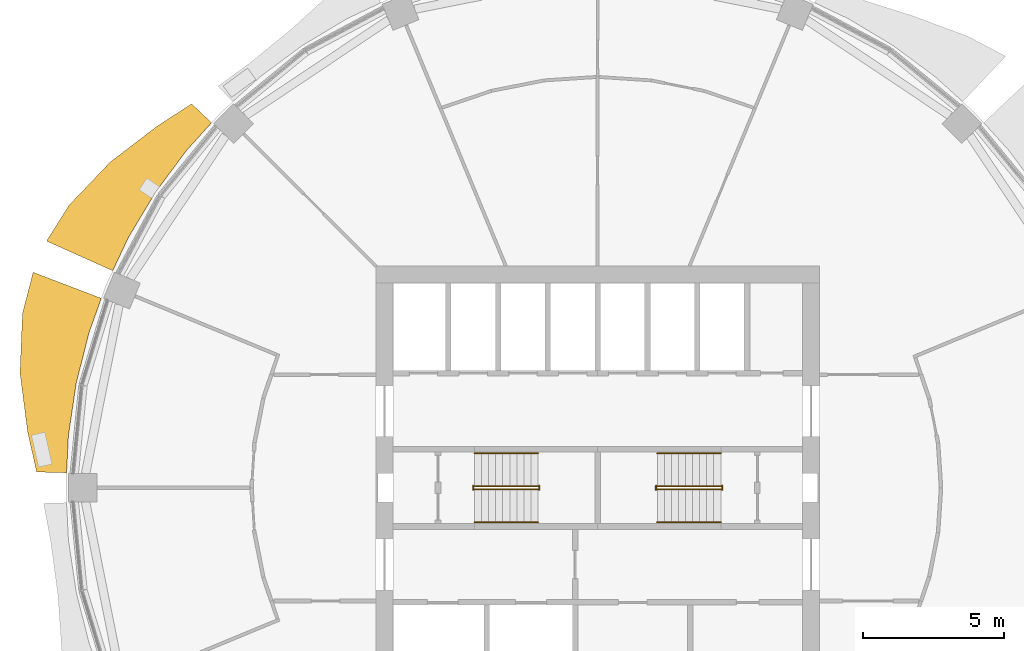
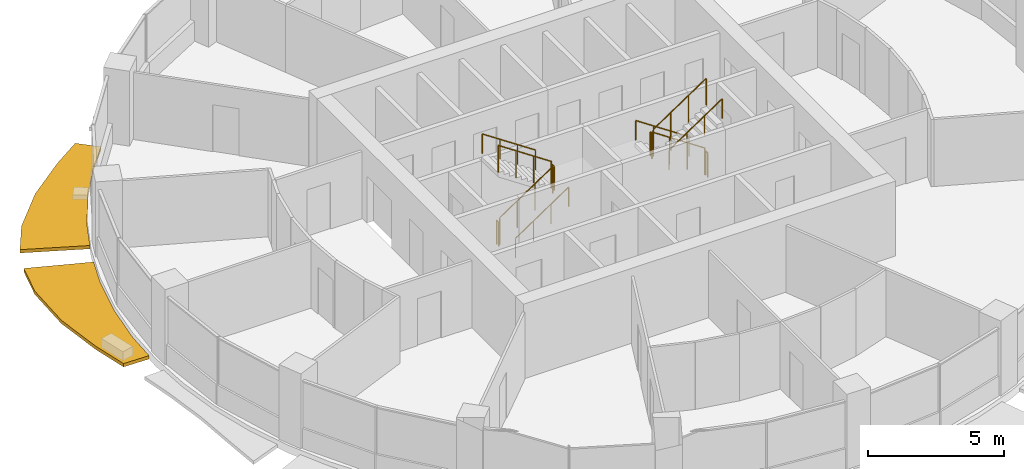
# One storey, part 12 of 14: 12 railings, 2 shading devices.
"""IFC4 building model written with IfcOpenShell, lengths in metres."""

from ifc_helpers import new_model, si_unit, direction, frame, origin, origin_2d, place, context, subcontext, project, spatial, polyline, circle, outline, extrude, material, type_object, element, save


model = new_model("IFC4")

# Units and contexts
model_context = context("Model", 3, precision=1e-05, world=origin(), true_north=direction((0.0, 1.0)))
body_context = subcontext(model_context, "Body", "Model", "MODEL_VIEW")
ifc_project = project(units=[si_unit("LENGTHUNIT", "METRE"), si_unit("AREAUNIT", "SQUARE_METRE"), si_unit("VOLUMEUNIT", "CUBIC_METRE"), si_unit("PLANEANGLEUNIT", "RADIAN"), si_unit("MASSUNIT", "GRAM", prefix="KILO")], contexts=[model_context])

# Site, building, storey
site_placement = place(None, origin())
site = spatial("IfcSite", under=ifc_project, at=site_placement, CompositionType="ELEMENT")
building_placement = place(site_placement, origin())
building = spatial("IfcBuilding", under=site, at=building_placement, Name="Polderwave Tower", CompositionType="ELEMENT")
storey_placement = place(building_placement, frame((0.0, 0.0, 147.75)))
storey = spatial("IfcBuildingStorey", under=building, at=storey_placement, Name="L39", CompositionType="ELEMENT", Elevation=147.75)

# Railings
ifc_material_1 = material(Name="Stainless steel", Category="steel")
railing_type_1 = type_object("IfcRailingType", Name="Stair guard 1100", PredefinedType="GUARDRAIL", material=ifc_material_1)
railing_1_placement = place(storey_placement, frame((-4.3740234375, -0.051025390625, 0.04736328125)))
element("IfcRailing", 1, at=railing_1_placement, inside=storey, type_object=railing_type_1, Name="L39 ST-A stair guard 1", PredefinedType="GUARDRAIL", context=body_context, shape_type="SweptSolid", body=[
    extrude(circle(Radius=0.02392578125, at=origin_2d()), frame((0.0, 0.0, 1.1962890625), z_axis=(0.830758306289, 0.0, 0.556633305266), x_axis=(0.0, 1.0, 0.0)), (0.0, 0.0, 1.0), 2.708251953125),
    extrude(circle(Radius=0.02392578125, at=origin_2d()), origin(), (0.0, 0.0, 1.0), 1.172119140625),
    extrude(circle(Radius=0.02392578125, at=origin_2d()), frame((0.75, 0.0, 0.50244140625)), (0.0, 0.0, 1.0), 1.172119140625),
    extrude(circle(Radius=0.02392578125, at=origin_2d()), frame((1.5, 0.0, 1.005126953125)), (0.0, 0.0, 1.0), 1.172119140625),
    extrude(circle(Radius=0.02392578125, at=origin_2d()), frame((2.25, 0.0, 1.507568359375)), (0.0, 0.0, 1.0), 1.172119140625),
])
railing_2_placement = place(storey_placement, frame((-2.073974609375, -0.074951171875, 1.675048828125)))
element("IfcRailing", 2, at=railing_2_placement, inside=storey, type_object=railing_type_1, Name="L39 ST-A stair guard 2", PredefinedType="GUARDRAIL", context=body_context, shape_type="SweptSolid", body=[
    extrude(circle(Radius=0.02392578125, at=origin_2d()), frame((0.0, 0.0, 1.076171875), z_axis=(0.0, 1.0, 0.0), x_axis=(-1.0, 0.0, 0.0)), (0.0, 0.0, 1.0), 0.14990234375),
    extrude(circle(Radius=0.02099609375, at=origin_2d()), origin(), (0.0, 0.0, 1.0), 1.052001953125),
    extrude(circle(Radius=0.02099609375, at=origin_2d()), frame((0.0, 0.14990234375, 0.0)), (0.0, 0.0, 1.0), 1.052001953125),
])
railing_3_placement = place(storey_placement, frame((-2.1240234375, 0.051025390625, 1.722412109375)))
element("IfcRailing", 3, at=railing_3_placement, inside=storey, type_object=railing_type_1, Name="L39 ST-A stair guard 3", PredefinedType="GUARDRAIL", context=body_context, shape_type="SweptSolid", body=[
    extrude(circle(Radius=0.02392578125, at=origin_2d()), frame((0.0, 0.0, 1.1962890625), z_axis=(-0.830758306289, 0.0, 0.556633305266), x_axis=(0.0, -1.0, 0.0)), (0.0, 0.0, 1.0), 2.708251953125),
    extrude(circle(Radius=0.02392578125, at=origin_2d()), origin(), (0.0, 0.0, 1.0), 1.172119140625),
    extrude(circle(Radius=0.02392578125, at=origin_2d()), frame((-0.75, 0.0, 0.50244140625)), (0.0, 0.0, 1.0), 1.172119140625),
    extrude(circle(Radius=0.02392578125, at=origin_2d()), frame((-1.5, 0.0, 1.005126953125)), (0.0, 0.0, 1.0), 1.172119140625),
    extrude(circle(Radius=0.02392578125, at=origin_2d()), frame((-2.25, 0.0, 1.507568359375)), (0.0, 0.0, 1.0), 1.172119140625),
])
railing_4_placement = place(storey_placement, frame((-4.424072265625, -0.074951171875, 0.0)))
element("IfcRailing", 4, at=railing_4_placement, inside=storey, type_object=railing_type_1, Name="L39 ST-A stair guard 4", PredefinedType="GUARDRAIL", context=body_context, shape_type="SweptSolid", body=[
    extrude(circle(Radius=0.02392578125, at=origin_2d()), frame((0.0, 0.0, 1.076171875), z_axis=(0.0, 1.0, 0.0), x_axis=(-1.0, 0.0, 0.0)), (0.0, 0.0, 1.0), 0.14990234375),
    extrude(circle(Radius=0.02099609375, at=origin_2d()), origin(), (0.0, 0.0, 1.0), 1.052001953125),
    extrude(circle(Radius=0.02099609375, at=origin_2d()), frame((0.0, 0.14990234375, 0.0)), (0.0, 0.0, 1.0), 1.052001953125),
])
railing_5_placement = place(storey_placement, frame((4.3740234375, 0.051025390625, 0.04736328125)))
element("IfcRailing", 5, at=railing_5_placement, inside=storey, type_object=railing_type_1, Name="L39 ST-B stair guard 1", PredefinedType="GUARDRAIL", context=body_context, shape_type="SweptSolid", body=[
    extrude(circle(Radius=0.02392578125, at=origin_2d()), frame((0.0, 0.0, 1.1962890625), z_axis=(-0.830758306289, 0.0, 0.556633305266), x_axis=(0.0, -1.0, 0.0)), (0.0, 0.0, 1.0), 2.708251953125),
    extrude(circle(Radius=0.02392578125, at=origin_2d()), origin(), (0.0, 0.0, 1.0), 1.172119140625),
    extrude(circle(Radius=0.02392578125, at=origin_2d()), frame((-0.75, 0.0, 0.50244140625)), (0.0, 0.0, 1.0), 1.172119140625),
    extrude(circle(Radius=0.02392578125, at=origin_2d()), frame((-1.5, 0.0, 1.005126953125)), (0.0, 0.0, 1.0), 1.172119140625),
    extrude(circle(Radius=0.02392578125, at=origin_2d()), frame((-2.25, 0.0, 1.507568359375)), (0.0, 0.0, 1.0), 1.172119140625),
])
railing_6_placement = place(storey_placement, frame((2.073974609375, 0.074951171875, 1.675048828125)))
element("IfcRailing", 6, at=railing_6_placement, inside=storey, type_object=railing_type_1, Name="L39 ST-B stair guard 2", PredefinedType="GUARDRAIL", context=body_context, shape_type="SweptSolid", body=[
    extrude(circle(Radius=0.02392578125, at=origin_2d()), frame((0.0, 0.0, 1.076171875), z_axis=(0.0, -1.0, 0.0), x_axis=(1.0, 0.0, 0.0)), (0.0, 0.0, 1.0), 0.14990234375),
    extrude(circle(Radius=0.02099609375, at=origin_2d()), origin(), (0.0, 0.0, 1.0), 1.052001953125),
    extrude(circle(Radius=0.02099609375, at=origin_2d()), frame((0.0, -0.14990234375, 0.0)), (0.0, 0.0, 1.0), 1.052001953125),
])
railing_7_placement = place(storey_placement, frame((2.1240234375, -0.051025390625, 1.722412109375)))
element("IfcRailing", 7, at=railing_7_placement, inside=storey, type_object=railing_type_1, Name="L39 ST-B stair guard 3", PredefinedType="GUARDRAIL", context=body_context, shape_type="SweptSolid", body=[
    extrude(circle(Radius=0.02392578125, at=origin_2d()), frame((0.0, 0.0, 1.1962890625), z_axis=(0.830758306289, 0.0, 0.556633305266), x_axis=(0.0, 1.0, 0.0)), (0.0, 0.0, 1.0), 2.708251953125),
    extrude(circle(Radius=0.02392578125, at=origin_2d()), origin(), (0.0, 0.0, 1.0), 1.172119140625),
    extrude(circle(Radius=0.02392578125, at=origin_2d()), frame((0.75, 0.0, 0.50244140625)), (0.0, 0.0, 1.0), 1.172119140625),
    extrude(circle(Radius=0.02392578125, at=origin_2d()), frame((1.5, 0.0, 1.005126953125)), (0.0, 0.0, 1.0), 1.172119140625),
    extrude(circle(Radius=0.02392578125, at=origin_2d()), frame((2.25, 0.0, 1.507568359375)), (0.0, 0.0, 1.0), 1.172119140625),
])
railing_8_placement = place(storey_placement, frame((4.424072265625, 0.074951171875, 0.0)))
element("IfcRailing", 8, at=railing_8_placement, inside=storey, type_object=railing_type_1, Name="L39 ST-B stair guard 4", PredefinedType="GUARDRAIL", context=body_context, shape_type="SweptSolid", body=[
    extrude(circle(Radius=0.02392578125, at=origin_2d()), frame((0.0, 0.0, 1.076171875), z_axis=(0.0, -1.0, 0.0), x_axis=(1.0, 0.0, 0.0)), (0.0, 0.0, 1.0), 0.14990234375),
    extrude(circle(Radius=0.02099609375, at=origin_2d()), origin(), (0.0, 0.0, 1.0), 1.052001953125),
    extrude(circle(Radius=0.02099609375, at=origin_2d()), frame((0.0, -0.14990234375, 0.0)), (0.0, 0.0, 1.0), 1.052001953125),
])
railing_type_2 = type_object("IfcRailingType", Name="Stair handrail 900", PredefinedType="HANDRAIL", material=ifc_material_1)
railing_9_placement = place(storey_placement, frame((-4.3740234375, -1.22509765625, 0.16748046875)))
element("IfcRailing", 9, at=railing_9_placement, inside=storey, type_object=railing_type_2, Name="L39 ST-A stair handrail 1", PredefinedType="HANDRAIL", context=body_context, shape_type="SweptSolid", body=[
    extrude(circle(Radius=0.02392578125, at=origin_2d()), frame((0.0, 0.0, 0.8759765625), z_axis=(0.830758306289, 0.0, 0.556633305266), x_axis=(0.0, 1.0, 0.0)), (0.0, 0.0, 1.0), 2.708251953125),
    extrude(circle(Radius=0.02099609375, at=origin_2d()), origin(), (0.0, 0.0, 1.0), 0.851806640625),
    extrude(circle(Radius=0.02099609375, at=origin_2d()), frame((0.75, 0.0, 0.50244140625)), (0.0, 0.0, 1.0), 0.851806640625),
    extrude(circle(Radius=0.02099609375, at=origin_2d()), frame((1.5, 0.0, 1.005126953125)), (0.0, 0.0, 1.0), 0.851806640625),
    extrude(circle(Radius=0.02099609375, at=origin_2d()), frame((2.25, 0.0, 1.507568359375)), (0.0, 0.0, 1.0), 0.851806640625),
])
for number, where, name in (
    (10, (-2.1240234375, 1.22509765625, 1.842529296875), "L39 ST-A stair handrail 2"),
    (11, (4.3740234375, 1.22509765625, 0.16748046875), "L39 ST-B stair handrail 1"),
):
    element("IfcRailing", number, at=place(storey_placement, frame(where)), inside=storey, type_object=railing_type_2, Name=name, PredefinedType="HANDRAIL", context=body_context, shape_type="SweptSolid", body=[
        extrude(circle(Radius=0.02392578125, at=origin_2d()), frame((0.0, 0.0, 0.8759765625), z_axis=(-0.830758306289, 0.0, 0.556633305266), x_axis=(0.0, -1.0, 0.0)), (0.0, 0.0, 1.0), 2.708251953125),
        extrude(circle(Radius=0.02099609375, at=origin_2d()), origin(), (0.0, 0.0, 1.0), 0.851806640625),
        extrude(circle(Radius=0.02099609375, at=origin_2d()), frame((-0.75, 0.0, 0.50244140625)), (0.0, 0.0, 1.0), 0.851806640625),
        extrude(circle(Radius=0.02099609375, at=origin_2d()), frame((-1.5, 0.0, 1.005126953125)), (0.0, 0.0, 1.0), 0.851806640625),
        extrude(circle(Radius=0.02099609375, at=origin_2d()), frame((-2.25, 0.0, 1.507568359375)), (0.0, 0.0, 1.0), 0.851806640625),
    ])
railing_10_placement = place(storey_placement, frame((2.1240234375, -1.22509765625, 1.842529296875)))
element("IfcRailing", 12, at=railing_10_placement, inside=storey, type_object=railing_type_2, Name="L39 ST-B stair handrail 2", PredefinedType="HANDRAIL", context=body_context, shape_type="SweptSolid", body=[
    extrude(circle(Radius=0.02392578125, at=origin_2d()), frame((0.0, 0.0, 0.8759765625), z_axis=(0.830758306289, 0.0, 0.556633305266), x_axis=(0.0, 1.0, 0.0)), (0.0, 0.0, 1.0), 2.708251953125),
    extrude(circle(Radius=0.02099609375, at=origin_2d()), origin(), (0.0, 0.0, 1.0), 0.851806640625),
    extrude(circle(Radius=0.02099609375, at=origin_2d()), frame((0.75, 0.0, 0.50244140625)), (0.0, 0.0, 1.0), 0.851806640625),
    extrude(circle(Radius=0.02099609375, at=origin_2d()), frame((1.5, 0.0, 1.005126953125)), (0.0, 0.0, 1.0), 0.851806640625),
    extrude(circle(Radius=0.02099609375, at=origin_2d()), frame((2.25, 0.0, 1.507568359375)), (0.0, 0.0, 1.0), 0.851806640625),
])

# Shading devices
ifc_material_2 = material(Name="Terracotta", Category="masonry")
shading_device_type = type_object("IfcShadingDeviceType", Name="Terracotta sunshade band", PredefinedType="USERDEFINED", material=ifc_material_2)
shading_device_1_placement = place(storey_placement, frame((0.0, 0.0, -0.35009765625)))
element("IfcShadingDevice", 13, at=shading_device_1_placement, inside=storey, type_object=shading_device_type, Name="Sunshade band L39 7", ObjectType="SUNSHADE", PredefinedType="USERDEFINED", context=body_context, shape_type="SweptSolid", body=[
    extrude(outline(polyline([(-13.720703125, 12.970947265625), (-14.60986328125, 11.989990234375), (-15.71484375, 10.500244140625), (-16.668212890625, 8.909423828125), (-17.234375, 7.712646484375), (-19.585205078125, 8.7646484375), (-18.78564453125, 10.041259765625), (-17.322265625, 11.57421875), (-15.656005859375, 12.8486328125), (-14.432373046875, 13.643798828125), (-13.720703125, 12.970947265625)])), origin(), (0.0, 0.0, 1.0), 0.150146484375),
])
shading_device_2_placement = place(storey_placement, frame((0.0, 0.0, -0.35009765625)))
element("IfcShadingDevice", 14, at=shading_device_2_placement, inside=storey, type_object=shading_device_type, Name="Sunshade band L39 8", ObjectType="SUNSHADE", PredefinedType="USERDEFINED", context=body_context, shape_type="SweptSolid", body=[
    extrude(outline(polyline([(-17.64013671875, 6.73291015625), (-18.086181640625, 5.486328125), (-18.536865234375, 3.687255859375), (-18.80908203125, 1.8525390625), (-18.8740234375, 0.5302734375), (-19.93896484375, 0.56005859375), (-20.259033203125, 1.995361328125), (-20.52880859375, 4.08349609375), (-20.43994140625, 6.200439453125), (-20.06298828125, 7.65771484375), (-17.64013671875, 6.73291015625)])), origin(), (0.0, 0.0, 1.0), 0.150146484375),
])

save(model, "model.ifc")
